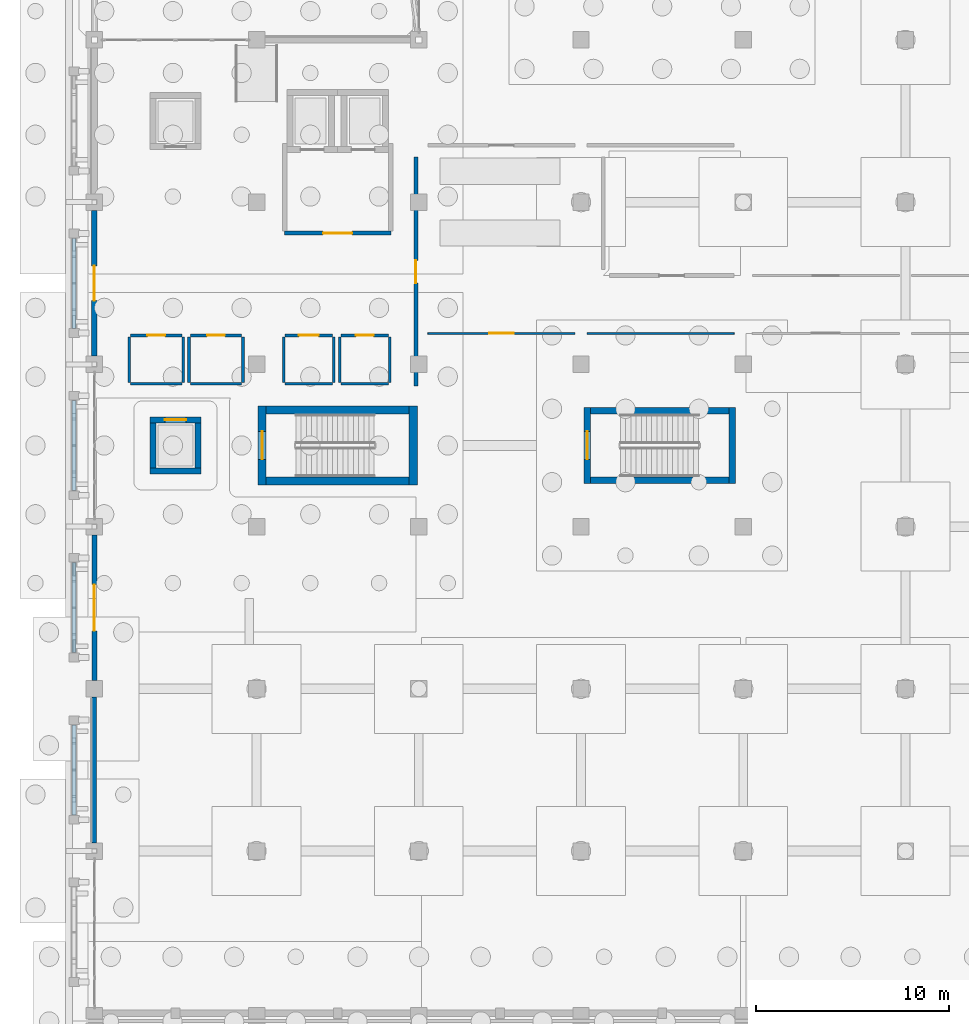
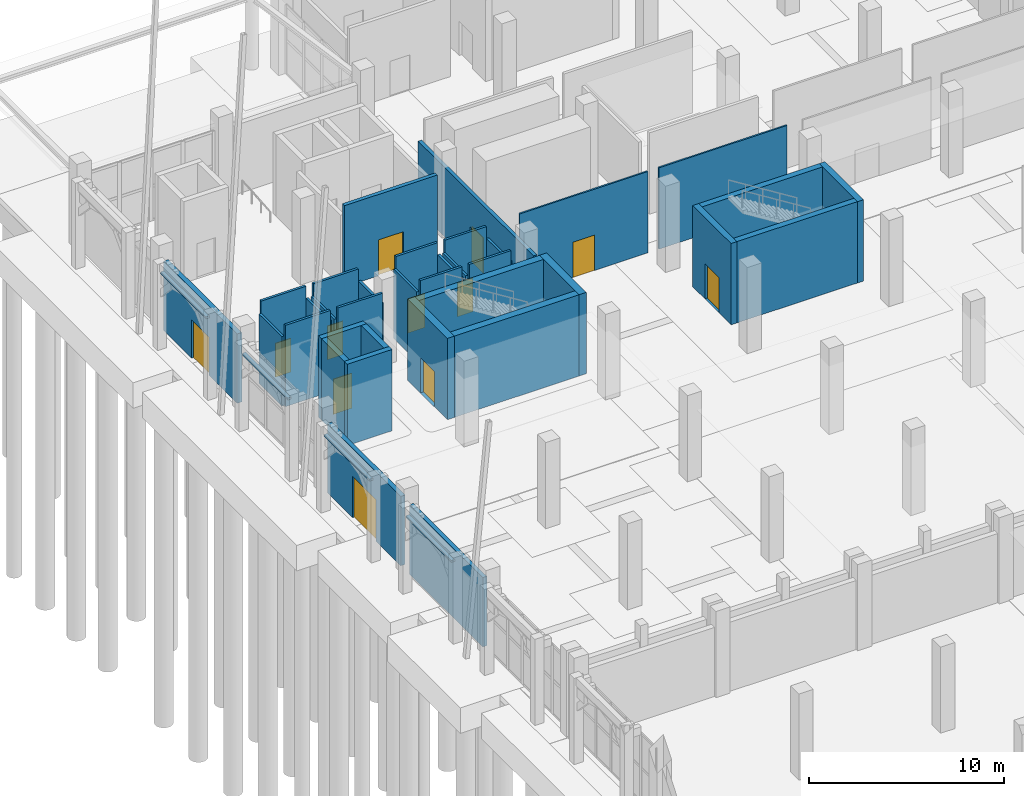
# One storey, part 66 of 98: 39 walls, 12 doors, 12 openings.
"""IFC4 building model written with IfcOpenShell, lengths in metres."""

from ifc_helpers import new_model, si_unit, direction, frame, frame_2d, origin, place, context, subcontext, project, spatial, rectangle, extrude, material, layer, layer_set, type_object, element, fill, save


model = new_model("IFC4")

# Units and contexts
model_context = context("Model", 3, precision=1e-05, world=origin(), true_north=direction((0.0, 1.0)))
body_context = subcontext(model_context, "Body", "Model", "MODEL_VIEW")
ifc_project = project(units=[si_unit("LENGTHUNIT", "METRE"), si_unit("AREAUNIT", "SQUARE_METRE"), si_unit("VOLUMEUNIT", "CUBIC_METRE"), si_unit("PLANEANGLEUNIT", "RADIAN"), si_unit("MASSUNIT", "GRAM", prefix="KILO")], contexts=[model_context])

# Site, building, storey
site_placement = place(None, origin())
site = spatial("IfcSite", under=ifc_project, at=site_placement, CompositionType="ELEMENT")
building_placement = place(site_placement, origin())
building = spatial("IfcBuilding", under=site, at=building_placement, Name="Xazarin Passage Department Store", CompositionType="ELEMENT")
storey_placement = place(building_placement, origin())
storey = spatial("IfcBuildingStorey", under=building, at=storey_placement, Name="L00", CompositionType="ELEMENT", Elevation=0.0)

# Wall
ifc_material_1 = material(Name="Precast concrete C40/50", Category="concrete")
ifc_layer_1 = layer(ifc_material_1, 0.239990234375)
ifc_layer_set_1 = layer_set([ifc_layer_1], Name="Precast concrete C40/50")
wall_type_1 = type_object("IfcWallType", Name="ARC-W-EXT240", PredefinedType="SOLIDWALL", material=ifc_layer_set_1)
wall_1_placement = place(storey_placement, frame((0.0, 60.02490234375, 0.0), z_axis=(0.0, 0.0, 1.0), x_axis=(0.0, 1.0, 0.0)))
element("IfcWall", 1, at=wall_1_placement, inside=storey, type_object=wall_type_1, Name="L00 V1 Exterior Wall 014", PredefinedType="SOLIDWALL", context=body_context, shape_type="SweptSolid", body=[
    extrude(rectangle(XDim=7.550048828125, YDim=0.239990234375, at=frame_2d((3.77490234375, 0.0))), origin(), (0.0, 0.0, 1.0), 4.35009765625),
])

# Wall, opening, door
ifc_layer_2 = layer(ifc_material_1, 0.260009765625)
ifc_layer_set_2 = layer_set([ifc_layer_2], Name="Precast concrete C40/50")
wall_type_2 = type_object("IfcWallType", Name="ARC-W-EXT260", PredefinedType="SOLIDWALL", material=ifc_layer_set_2)
wall_2_placement = place(storey_placement, frame((0.0, 68.425048828125, 0.0), z_axis=(0.0, 0.0, 1.0), x_axis=(0.0, 1.0, 0.0)))
wall_2 = element("IfcWall", 2, at=wall_2_placement, inside=storey, type_object=wall_type_2, Name="L00 V1 Exterior Wall 015", PredefinedType="SOLIDWALL", context=body_context, shape_type="SweptSolid", body=[
    extrude(rectangle(XDim=7.550048828125, YDim=0.260009765625, at=frame_2d((3.77490234375, 0.0))), origin(), (0.0, 0.0, 1.0), 4.35009765625),
])
opening_1_placement = place(wall_2_placement, frame((2.574951171875, 0.0, 0.0)))
opening_1 = element("IfcOpeningElement", 3, at=opening_1_placement, cuts=wall_2, Name="Opening ED1", PredefinedType="OPENING", context=body_context, shape_type="SweptSolid", body=[
    extrude(rectangle(XDim=2.39990234375, YDim=2.60009765625, at=frame_2d((1.199951171875, 1.300048828125))), frame((0.0, 0.139892578125, 0.0), z_axis=(0.0, -1.0, 0.0), x_axis=(1.0, 0.0, 0.0)), (0.0, 0.0, 1.0), 0.280029296875),
])
ifc_material_2 = material(Name="Bronze anodised aluminium", Category="aluminium")
door_type_1 = type_object("IfcDoorType", Name="ARC-DR-ENT240", OperationType="NOTDEFINED", PredefinedType="DOOR", material=ifc_material_2)
door_1_placement = place(opening_1_placement, origin())
door_1 = element("IfcDoor", 4, at=door_1_placement, inside=storey, type_object=door_type_1, Name="DR-EXT-004", OperationType="DOUBLE_DOOR_SINGLE_SWING", OverallHeight=2.60009765625, OverallWidth=2.39990234375, PredefinedType="DOOR", context=body_context, shape_type="SweptSolid", body=[
    extrude(rectangle(XDim=2.39990234375, YDim=2.60009765625, at=frame_2d((1.199951171875, 1.300048828125))), frame((0.0, 0.02490234375, 0.0), z_axis=(0.0, -1.0, 0.0), x_axis=(1.0, 0.0, 0.0)), (0.0, 0.0, 1.0), 0.050048828125),
])
fill(opening_1, door_1)

ifc_layer_3 = layer(ifc_material_1, 0.280029296875)
ifc_layer_set_3 = layer_set([ifc_layer_3], Name="Precast concrete C40/50")
wall_type_3 = type_object("IfcWallType", Name="ARC-W-EXT280", PredefinedType="SOLIDWALL", material=ifc_layer_set_3)
wall_3_placement = place(storey_placement, frame((0.0, 85.22509765625, 0.0), z_axis=(0.0, 0.0, 1.0), x_axis=(0.0, 1.0, 0.0)))
wall_3 = element("IfcWall", 5, at=wall_3_placement, inside=storey, type_object=wall_type_3, Name="L00 V1 Exterior Wall 016", PredefinedType="SOLIDWALL", context=body_context, shape_type="SweptSolid", body=[
    extrude(rectangle(XDim=7.5498046875, YDim=0.280029296875, at=frame_2d((3.77490234375, 0.0))), origin(), (0.0, 0.0, 1.0), 4.35009765625),
])
opening_2_placement = place(wall_3_placement, frame((2.875, 0.0, 0.0)))
opening_2 = element("IfcOpeningElement", 6, at=opening_2_placement, cuts=wall_3, Name="Opening ED4", PredefinedType="OPENING", context=body_context, shape_type="SweptSolid", body=[
    extrude(rectangle(XDim=1.800048828125, YDim=2.39990234375, at=frame_2d((0.89990234375, 1.199951171875))), frame((0.0, 0.14990234375, 0.0), z_axis=(0.0, -1.0, 0.0), x_axis=(1.0, 0.0, 0.0)), (0.0, 0.0, 1.0), 0.300048828125),
])
door_type_2 = type_object("IfcDoorType", Name="ARC-DR-ENT180", OperationType="NOTDEFINED", PredefinedType="DOOR", material=ifc_material_2)
door_2_placement = place(opening_2_placement, origin())
door_2 = element("IfcDoor", 7, at=door_2_placement, inside=storey, type_object=door_type_2, Name="DR-EXT-005", OperationType="DOUBLE_DOOR_SINGLE_SWING", OverallHeight=2.39990234375, OverallWidth=1.800048828125, PredefinedType="DOOR", context=body_context, shape_type="SweptSolid", body=[
    extrude(rectangle(XDim=1.800048828125, YDim=2.39990234375, at=frame_2d((0.89990234375, 1.199951171875))), frame((0.0, 0.02490234375, 0.0), z_axis=(0.0, -1.0, 0.0), x_axis=(1.0, 0.0, 0.0)), (0.0, 0.0, 1.0), 0.050048828125),
])
fill(opening_2, door_2)

ifc_material_3 = material(Name="Buff Baku clay brick", Category="masonry")
ifc_layer_4 = layer(ifc_material_3, 0.205078125)
ifc_layer_set_4 = layer_set([ifc_layer_4], Name="Buff Baku clay brick")
wall_type_4 = type_object("IfcWallType", Name="ARC-W-FIR205", PredefinedType="PARTITIONING", material=ifc_layer_set_4)
wall_4_placement = place(storey_placement, frame((16.64990234375, 83.669921875, 0.0), z_axis=(0.0, 0.0, 1.0), x_axis=(0.0, 1.0, 0.0)))
wall_4 = element("IfcWall", 8, at=wall_4_placement, inside=storey, type_object=wall_type_4, Name="L00 Accessories Hall Front Wall 0044", PredefinedType="PARTITIONING", context=body_context, shape_type="SweptSolid", body=[
    extrude(rectangle(XDim=11.860107421875, YDim=0.205078125, at=frame_2d((5.93017578125, 0.0))), origin(), (0.0, 0.0, 1.0), 4.35009765625),
])
opening_3_placement = place(wall_4_placement, frame((5.340087890625, 0.0, 0.0)))
opening_3 = element("IfcOpeningElement", 9, at=opening_3_placement, cuts=wall_4, Name="Opening ID24", PredefinedType="OPENING", context=body_context, shape_type="SweptSolid", body=[
    extrude(rectangle(XDim=1.179931640625, YDim=2.219970703125, at=frame_2d((0.58984375, 1.10986328125))), frame((0.0, 0.112548828125, 0.0), z_axis=(0.0, -1.0, 0.0), x_axis=(1.0, 0.0, 0.0)), (0.0, 0.0, 1.0), 0.22509765625),
])
ifc_material_4 = material(Name="Timber acoustic leaf", Category="wood")
door_type_3 = type_object("IfcDoorType", Name="ARC-DR-ID24", OperationType="NOTDEFINED", PredefinedType="DOOR", material=ifc_material_4)
door_3_placement = place(opening_3_placement, origin())
door_3 = element("IfcDoor", 10, at=door_3_placement, inside=storey, type_object=door_type_3, Name="DR-INT-L00-0044", OperationType="SINGLE_SWING_LEFT", OverallHeight=2.219970703125, OverallWidth=1.179931640625, PredefinedType="DOOR", context=body_context, shape_type="SweptSolid", body=[
    extrude(rectangle(XDim=1.179931640625, YDim=2.219970703125, at=frame_2d((0.58984375, 1.10986328125))), frame((0.0, 0.02490234375, 0.0), z_axis=(0.0, -1.0, 0.0), x_axis=(1.0, 0.0, 0.0)), (0.0, 0.0, 1.0), 0.050048828125),
])
fill(opening_3, door_3)

ifc_material_5 = material(Name="Concrete C35/45", Category="concrete")
ifc_layer_5 = layer(ifc_material_5, 0.22509765625)
ifc_layer_set_5 = layer_set([ifc_layer_5], Name="Concrete C35/45")
wall_type_5 = type_object("IfcWallType", Name="ARC-W-FIR225", PredefinedType="PARTITIONING", material=ifc_layer_set_5)
wall_5_placement = place(storey_placement, frame((9.85009765625, 91.60009765625, 0.0), z_axis=(0.0, 0.0, 1.0), x_axis=(1.0, 0.0, 0.0)))
wall_5 = element("IfcWall", 11, at=wall_5_placement, inside=storey, type_object=wall_type_5, Name="L00 Firefighting Lift Lobby South Wall 0001", PredefinedType="PARTITIONING", context=body_context, shape_type="SweptSolid", body=[
    extrude(rectangle(XDim=5.5, YDim=0.22509765625, at=frame_2d((2.75, 0.0))), origin(), (0.0, 0.0, 1.0), 5.10009765625),
])
opening_4_placement = place(wall_5_placement, frame((2.0, 0.0, 0.0)))
opening_4 = element("IfcOpeningElement", 12, at=opening_4_placement, cuts=wall_5, Name="Opening FD3", PredefinedType="OPENING", context=body_context, shape_type="SweptSolid", body=[
    extrude(rectangle(XDim=1.5, YDim=2.25, at=frame_2d((0.75, 1.125))), frame((0.0, 0.12255859375, 0.0), z_axis=(0.0, -1.0, 0.0), x_axis=(1.0, 0.0, 0.0)), (0.0, 0.0, 1.0), 0.2451171875),
])
ifc_material_6 = material(Name="Steel S355", Category="steel")
door_type_4 = type_object("IfcDoorType", Name="ARC-DR-FFL150", OperationType="NOTDEFINED", PredefinedType="DOOR", material=ifc_material_6)
door_4_placement = place(opening_4_placement, origin())
door_4 = element("IfcDoor", 13, at=door_4_placement, inside=storey, type_object=door_type_4, Name="DR-INT-L00-0001", OperationType="SINGLE_SWING_RIGHT", OverallHeight=2.25, OverallWidth=1.5, PredefinedType="DOOR", context=body_context, shape_type="SweptSolid", body=[
    extrude(rectangle(XDim=1.5, YDim=2.25, at=frame_2d((0.75, 1.125))), frame((0.0, 0.02490234375, 0.0), z_axis=(0.0, -1.0, 0.0), x_axis=(1.0, 0.0, 0.0)), (0.0, 0.0, 1.0), 0.050048828125),
])
fill(opening_4, door_4)

# Walls
ifc_layer_6 = layer(ifc_material_1, 0.2099609375)
ifc_layer_set_6 = layer_set([ifc_layer_6], Name="Precast concrete C40/50")
wall_type_6 = type_object("IfcWallType", Name="ARC-W-PAR210", PredefinedType="PARAPET", material=ifc_layer_set_6)
for number, where, z_axis, x_axis, name in (
    (14, (-1.050048828125, 61.469970703125, 4.780029296875), (0.0, 0.0, 1.0), (0.0, 1.0, 0.0), "L00 V1 Pierced-Arch Spandrel Lintel 0039"),
    (15, (-1.050048828125, 69.8701171875, 4.780029296875), (0.0, 0.0, 1.0), (0.0, 1.0, 0.0), "L00 V1 Pierced-Arch Spandrel Lintel 0042"),
    (16, (-1.050048828125, 78.27001953125, 4.780029296875), (0.0, 0.0, 1.0), (0.0, 1.0, 0.0), "L00 V1 Pierced-Arch Spandrel Lintel 0047"),
):
    element("IfcWall", number, at=place(storey_placement, frame(where, z_axis=z_axis, x_axis=x_axis)), inside=storey, type_object=wall_type_6, Name=name, PredefinedType="PARAPET", context=body_context, shape_type="SweptSolid", body=[
        extrude(rectangle(XDim=4.659912109375, YDim=0.2099609375, at=frame_2d((2.330078125, 0.0))), origin(), (0.0, 0.0, 1.0), 0.119873046875),
    ])
wall_6_placement = place(storey_placement, frame((-1.050048828125, 86.669921875, 4.780029296875), z_axis=(0.0, 0.0, 1.0), x_axis=(0.0, 1.0, 0.0)))
element("IfcWall", 17, at=wall_6_placement, inside=storey, type_object=wall_type_6, Name="L00 V1 Pierced-Arch Spandrel Lintel 0055", PredefinedType="PARAPET", context=body_context, shape_type="SweptSolid", body=[
    extrude(rectangle(XDim=4.66015625, YDim=0.2099609375, at=frame_2d((2.330078125, 0.0))), origin(), (0.0, 0.0, 1.0), 0.119873046875),
])

# Wall, opening, door
ifc_material_7 = material(Name="Gypsum board acoustic partition")
ifc_layer_7 = layer(ifc_material_7, 0.094970703125)
ifc_layer_set_7 = layer_set([ifc_layer_7], Name="Gypsum board acoustic partition")
wall_type_7 = type_object("IfcWallType", Name="ARC-W-PRT095", PredefinedType="PARTITIONING", material=ifc_layer_set_7)
wall_7_placement = place(storey_placement, frame((17.27001953125, 86.39990234375, 0.0), z_axis=(0.0, 0.0, 1.0), x_axis=(1.0, 0.0, 0.0)))
wall_7 = element("IfcWall", 18, at=wall_7_placement, inside=storey, type_object=wall_type_7, Name="L00 Perfume and Jewellery Salon Front Wall 0045", PredefinedType="PARTITIONING", context=body_context, shape_type="SweptSolid", body=[
    extrude(rectangle(XDim=7.60986328125, YDim=0.094970703125, at=frame_2d((3.804931640625, 0.0))), origin(), (0.0, 0.0, 1.0), 5.10009765625),
])
opening_5_placement = place(wall_7_placement, frame((3.1650390625, 0.0, 0.0)))
opening_5 = element("IfcOpeningElement", 19, at=opening_5_placement, cuts=wall_7, Name="Opening ID28", PredefinedType="OPENING", context=body_context, shape_type="SweptSolid", body=[
    extrude(rectangle(XDim=1.280029296875, YDim=2.219970703125, at=frame_2d((0.64013671875, 1.10986328125))), frame((0.0, 0.057373046875, 0.0), z_axis=(0.0, -1.0, 0.0), x_axis=(1.0, 0.0, 0.0)), (0.0, 0.0, 1.0), 0.114990234375),
])
door_type_5 = type_object("IfcDoorType", Name="ARC-DR-ID28", OperationType="NOTDEFINED", PredefinedType="DOOR", material=ifc_material_4)
door_5_placement = place(opening_5_placement, origin())
door_5 = element("IfcDoor", 20, at=door_5_placement, inside=storey, type_object=door_type_5, Name="DR-INT-L00-0045", OperationType="SINGLE_SWING_RIGHT", OverallHeight=2.219970703125, OverallWidth=1.280029296875, PredefinedType="DOOR", context=body_context, shape_type="SweptSolid", body=[
    extrude(rectangle(XDim=1.280029296875, YDim=2.219970703125, at=frame_2d((0.64013671875, 1.10986328125))), frame((0.0, 0.02490234375, 0.0), z_axis=(0.0, -1.0, 0.0), x_axis=(1.0, 0.0, 0.0)), (0.0, 0.0, 1.0), 0.050048828125),
])
fill(opening_5, door_5)

# Wall
wall_8_placement = place(storey_placement, frame((25.52001953125, 86.39990234375, 0.0), z_axis=(0.0, 0.0, 1.0), x_axis=(1.0, 0.0, 0.0)))
element("IfcWall", 21, at=wall_8_placement, inside=storey, type_object=wall_type_7, Name="L00 Perfume and Jewellery Salon Front Wall 0046", PredefinedType="PARTITIONING", context=body_context, shape_type="SweptSolid", body=[
    extrude(rectangle(XDim=7.60986328125, YDim=0.094970703125, at=frame_2d((3.804931640625, 0.0))), origin(), (0.0, 0.0, 1.0), 5.10009765625),
])

# Wall, opening, door
ifc_material_8 = material(Name="Moisture-resistant masonry partition", Category="masonry")
ifc_layer_8 = layer(ifc_material_8, 0.139892578125)
ifc_layer_set_8 = layer_set([ifc_layer_8], Name="Moisture-resistant masonry partition")
wall_type_8 = type_object("IfcWallType", Name="ARC-W-PRT140", PredefinedType="PARTITIONING", material=ifc_layer_set_8)
wall_9_placement = place(storey_placement, frame((1.8701171875, 86.300048828125, 0.0), z_axis=(0.0, 0.0, 1.0), x_axis=(1.0, 0.0, 0.0)))
wall_9 = element("IfcWall", 22, at=wall_9_placement, inside=storey, type_object=wall_type_8, Name="L00 Public Male WC 0028", PredefinedType="PARTITIONING", context=body_context, shape_type="SweptSolid", body=[
    extrude(rectangle(XDim=2.659912109375, YDim=0.139892578125, at=frame_2d((1.330078125, 0.0))), origin(), (0.0, 0.0, 1.0), 5.10009765625),
])
opening_6_placement = place(wall_9_placement, frame((0.8701171875, 0.0, 0.0)))
opening_6 = element("IfcOpeningElement", 23, at=opening_6_placement, cuts=wall_9, Name="Opening ID1", PredefinedType="OPENING", context=body_context, shape_type="SweptSolid", body=[
    extrude(rectangle(XDim=0.919921875, YDim=2.1201171875, at=frame_2d((0.4599609375, 1.06005859375))), frame((0.0, 0.079833984375, 0.0), z_axis=(0.0, -1.0, 0.0), x_axis=(1.0, 0.0, 0.0)), (0.0, 0.0, 1.0), 0.159912109375),
])
door_type_6 = type_object("IfcDoorType", Name="ARC-DR-WC092", OperationType="NOTDEFINED", PredefinedType="DOOR", material=ifc_material_4)
door_6_placement = place(opening_6_placement, origin())
door_6 = element("IfcDoor", 24, at=door_6_placement, inside=storey, type_object=door_type_6, Name="DR-INT-L00-0028", OperationType="SINGLE_SWING_LEFT", OverallHeight=2.1201171875, OverallWidth=0.919921875, PredefinedType="DOOR", context=body_context, shape_type="SweptSolid", body=[
    extrude(rectangle(XDim=0.919921875, YDim=2.1201171875, at=frame_2d((0.4599609375, 1.06005859375))), frame((0.0, 0.02490234375, 0.0), z_axis=(0.0, -1.0, 0.0), x_axis=(1.0, 0.0, 0.0)), (0.0, 0.0, 1.0), 0.050048828125),
])
fill(opening_6, door_6)

# Walls
wall_10_placement = place(storey_placement, frame((1.8701171875, 83.800048828125, 0.0), z_axis=(0.0, 0.0, 1.0), x_axis=(1.0, 0.0, 0.0)))
element("IfcWall", 25, at=wall_10_placement, inside=storey, type_object=wall_type_8, Name="L00 Public Male WC Back Wall 0029", PredefinedType="PARTITIONING", context=body_context, shape_type="SweptSolid", body=[
    extrude(rectangle(XDim=2.659912109375, YDim=0.139892578125, at=frame_2d((1.330078125, 0.0))), origin(), (0.0, 0.0, 1.0), 5.10009765625),
])
for number, where, z_axis, x_axis, name in (
    (26, (1.800048828125, 83.8701171875, 0.0), (0.0, 0.0, 1.0), (0.0, 1.0, 0.0), "L00 Public Male WC Side Wall 0030"),
    (27, (4.60009765625, 83.8701171875, 0.0), (0.0, 0.0, 1.0), (0.0, 1.0, 0.0), "L00 Public Male WC Side Wall 0031"),
):
    element("IfcWall", number, at=place(storey_placement, frame(where, z_axis=z_axis, x_axis=x_axis)), inside=storey, type_object=wall_type_8, Name=name, PredefinedType="PARTITIONING", context=body_context, shape_type="SweptSolid", body=[
        extrude(rectangle(XDim=2.35986328125, YDim=0.139892578125, at=frame_2d((1.179931640625, 0.0))), origin(), (0.0, 0.0, 1.0), 4.35009765625),
    ])

# Wall, opening, door
wall_11_placement = place(storey_placement, frame((4.969970703125, 86.300048828125, 0.0), z_axis=(0.0, 0.0, 1.0), x_axis=(1.0, 0.0, 0.0)))
wall_11 = element("IfcWall", 28, at=wall_11_placement, inside=storey, type_object=wall_type_8, Name="L00 Public Female WC 0032", PredefinedType="PARTITIONING", context=body_context, shape_type="SweptSolid", body=[
    extrude(rectangle(XDim=2.659912109375, YDim=0.139892578125, at=frame_2d((1.330078125, 0.0))), origin(), (0.0, 0.0, 1.0), 5.10009765625),
])
opening_7_placement = place(wall_11_placement, frame((0.8701171875, 0.0, 0.0)))
opening_7 = element("IfcOpeningElement", 29, at=opening_7_placement, cuts=wall_11, Name="Opening ID1", PredefinedType="OPENING", context=body_context, shape_type="SweptSolid", body=[
    extrude(rectangle(XDim=0.919921875, YDim=2.1201171875, at=frame_2d((0.4599609375, 1.06005859375))), frame((0.0, 0.079833984375, 0.0), z_axis=(0.0, -1.0, 0.0), x_axis=(1.0, 0.0, 0.0)), (0.0, 0.0, 1.0), 0.159912109375),
])
door_7_placement = place(opening_7_placement, origin())
door_7 = element("IfcDoor", 30, at=door_7_placement, inside=storey, type_object=door_type_6, Name="DR-INT-L00-0032", OperationType="SINGLE_SWING_RIGHT", OverallHeight=2.1201171875, OverallWidth=0.919921875, PredefinedType="DOOR", context=body_context, shape_type="SweptSolid", body=[
    extrude(rectangle(XDim=0.919921875, YDim=2.1201171875, at=frame_2d((0.4599609375, 1.06005859375))), frame((0.0, 0.02490234375, 0.0), z_axis=(0.0, -1.0, 0.0), x_axis=(1.0, 0.0, 0.0)), (0.0, 0.0, 1.0), 0.050048828125),
])
fill(opening_7, door_7)

# Walls
wall_12_placement = place(storey_placement, frame((4.969970703125, 83.800048828125, 0.0), z_axis=(0.0, 0.0, 1.0), x_axis=(1.0, 0.0, 0.0)))
element("IfcWall", 31, at=wall_12_placement, inside=storey, type_object=wall_type_8, Name="L00 Public Female WC Back Wall 0033", PredefinedType="PARTITIONING", context=body_context, shape_type="SweptSolid", body=[
    extrude(rectangle(XDim=2.659912109375, YDim=0.139892578125, at=frame_2d((1.330078125, 0.0))), origin(), (0.0, 0.0, 1.0), 5.10009765625),
])
for number, where, z_axis, x_axis, name in (
    (32, (4.89990234375, 83.8701171875, 0.0), (0.0, 0.0, 1.0), (0.0, 1.0, 0.0), "L00 Public Female WC Side Wall 0034"),
    (33, (7.699951171875, 83.8701171875, 0.0), (0.0, 0.0, 1.0), (0.0, 1.0, 0.0), "L00 Public Female WC Side Wall 0035"),
):
    element("IfcWall", number, at=place(storey_placement, frame(where, z_axis=z_axis, x_axis=x_axis)), inside=storey, type_object=wall_type_8, Name=name, PredefinedType="PARTITIONING", context=body_context, shape_type="SweptSolid", body=[
        extrude(rectangle(XDim=2.35986328125, YDim=0.139892578125, at=frame_2d((1.179931640625, 0.0))), origin(), (0.0, 0.0, 1.0), 4.35009765625),
    ])

# Wall, opening, door
wall_13_placement = place(storey_placement, frame((9.8701171875, 86.300048828125, 0.0), z_axis=(0.0, 0.0, 1.0), x_axis=(1.0, 0.0, 0.0)))
wall_13 = element("IfcWall", 34, at=wall_13_placement, inside=storey, type_object=wall_type_8, Name="L00 Accessible WC 0036", PredefinedType="PARTITIONING", context=body_context, shape_type="SweptSolid", body=[
    extrude(rectangle(XDim=2.4599609375, YDim=0.139892578125, at=frame_2d((1.22998046875, 0.0))), origin(), (0.0, 0.0, 1.0), 5.10009765625),
])
opening_8_placement = place(wall_13_placement, frame((0.719970703125, 0.0, 0.0)))
opening_8 = element("IfcOpeningElement", 35, at=opening_8_placement, cuts=wall_13, Name="Opening ID2", PredefinedType="OPENING", context=body_context, shape_type="SweptSolid", body=[
    extrude(rectangle(XDim=1.02001953125, YDim=2.14990234375, at=frame_2d((0.510009765625, 1.074951171875))), frame((0.0, 0.079833984375, 0.0), z_axis=(0.0, -1.0, 0.0), x_axis=(1.0, 0.0, 0.0)), (0.0, 0.0, 1.0), 0.159912109375),
])
door_type_7 = type_object("IfcDoorType", Name="ARC-DR-AWC102", OperationType="NOTDEFINED", PredefinedType="DOOR", material=ifc_material_4)
door_8_placement = place(opening_8_placement, origin())
door_8 = element("IfcDoor", 36, at=door_8_placement, inside=storey, type_object=door_type_7, Name="DR-INT-L00-0036", OperationType="SINGLE_SWING_LEFT", OverallHeight=2.14990234375, OverallWidth=1.02001953125, PredefinedType="DOOR", context=body_context, shape_type="SweptSolid", body=[
    extrude(rectangle(XDim=1.02001953125, YDim=2.14990234375, at=frame_2d((0.510009765625, 1.074951171875))), frame((0.0, 0.02490234375, 0.0), z_axis=(0.0, -1.0, 0.0), x_axis=(1.0, 0.0, 0.0)), (0.0, 0.0, 1.0), 0.050048828125),
])
fill(opening_8, door_8)

# Walls
wall_14_placement = place(storey_placement, frame((9.8701171875, 83.800048828125, 0.0), z_axis=(0.0, 0.0, 1.0), x_axis=(1.0, 0.0, 0.0)))
element("IfcWall", 37, at=wall_14_placement, inside=storey, type_object=wall_type_8, Name="L00 Accessible WC Back Wall 0037", PredefinedType="PARTITIONING", context=body_context, shape_type="SweptSolid", body=[
    extrude(rectangle(XDim=2.4599609375, YDim=0.139892578125, at=frame_2d((1.22998046875, 0.0))), origin(), (0.0, 0.0, 1.0), 5.10009765625),
])
for number, where, z_axis, x_axis, name in (
    (38, (9.800048828125, 83.8701171875, 0.0), (0.0, 0.0, 1.0), (0.0, 1.0, 0.0), "L00 Accessible WC Side Wall 0038"),
    (39, (12.39990234375, 83.8701171875, 0.0), (0.0, 0.0, 1.0), (0.0, 1.0, 0.0), "L00 Accessible WC Side Wall 0039"),
):
    element("IfcWall", number, at=place(storey_placement, frame(where, z_axis=z_axis, x_axis=x_axis)), inside=storey, type_object=wall_type_8, Name=name, PredefinedType="PARTITIONING", context=body_context, shape_type="SweptSolid", body=[
        extrude(rectangle(XDim=2.35986328125, YDim=0.139892578125, at=frame_2d((1.179931640625, 0.0))), origin(), (0.0, 0.0, 1.0), 4.35009765625),
    ])

# Wall, opening, door
wall_15_placement = place(storey_placement, frame((12.77001953125, 86.300048828125, 0.0), z_axis=(0.0, 0.0, 1.0), x_axis=(1.0, 0.0, 0.0)))
wall_15 = element("IfcWall", 40, at=wall_15_placement, inside=storey, type_object=wall_type_8, Name="L00 Staff WC 0040", PredefinedType="PARTITIONING", context=body_context, shape_type="SweptSolid", body=[
    extrude(rectangle(XDim=2.4599609375, YDim=0.139892578125, at=frame_2d((1.22998046875, 0.0))), origin(), (0.0, 0.0, 1.0), 5.10009765625),
])
opening_9_placement = place(wall_15_placement, frame((0.77001953125, 0.0, 0.0)))
opening_9 = element("IfcOpeningElement", 41, at=opening_9_placement, cuts=wall_15, Name="Opening ID1", PredefinedType="OPENING", context=body_context, shape_type="SweptSolid", body=[
    extrude(rectangle(XDim=0.919921875, YDim=2.1201171875, at=frame_2d((0.4599609375, 1.06005859375))), frame((0.0, 0.079833984375, 0.0), z_axis=(0.0, -1.0, 0.0), x_axis=(1.0, 0.0, 0.0)), (0.0, 0.0, 1.0), 0.159912109375),
])
door_9_placement = place(opening_9_placement, origin())
door_9 = element("IfcDoor", 42, at=door_9_placement, inside=storey, type_object=door_type_6, Name="DR-INT-L00-0040", OperationType="SINGLE_SWING_RIGHT", OverallHeight=2.1201171875, OverallWidth=0.919921875, PredefinedType="DOOR", context=body_context, shape_type="SweptSolid", body=[
    extrude(rectangle(XDim=0.919921875, YDim=2.1201171875, at=frame_2d((0.4599609375, 1.06005859375))), frame((0.0, 0.02490234375, 0.0), z_axis=(0.0, -1.0, 0.0), x_axis=(1.0, 0.0, 0.0)), (0.0, 0.0, 1.0), 0.050048828125),
])
fill(opening_9, door_9)

# Walls
wall_16_placement = place(storey_placement, frame((12.77001953125, 83.800048828125, 0.0), z_axis=(0.0, 0.0, 1.0), x_axis=(1.0, 0.0, 0.0)))
element("IfcWall", 43, at=wall_16_placement, inside=storey, type_object=wall_type_8, Name="L00 Staff WC Back Wall 0041", PredefinedType="PARTITIONING", context=body_context, shape_type="SweptSolid", body=[
    extrude(rectangle(XDim=2.4599609375, YDim=0.139892578125, at=frame_2d((1.22998046875, 0.0))), origin(), (0.0, 0.0, 1.0), 5.10009765625),
])
for number, where, z_axis, x_axis, name in (
    (44, (12.699951171875, 83.8701171875, 0.0), (0.0, 0.0, 1.0), (0.0, 1.0, 0.0), "L00 Staff WC Side Wall 0042"),
    (45, (15.300048828125, 83.8701171875, 0.0), (0.0, 0.0, 1.0), (0.0, 1.0, 0.0), "L00 Staff WC Side Wall 0043"),
):
    element("IfcWall", number, at=place(storey_placement, frame(where, z_axis=z_axis, x_axis=x_axis)), inside=storey, type_object=wall_type_8, Name=name, PredefinedType="PARTITIONING", context=body_context, shape_type="SweptSolid", body=[
        extrude(rectangle(XDim=2.35986328125, YDim=0.139892578125, at=frame_2d((1.179931640625, 0.0))), origin(), (0.0, 0.0, 1.0), 4.35009765625),
    ])
ifc_material_9 = material(Name="Concrete C40/50", Category="concrete")
ifc_layer_9 = layer(ifc_material_9, 0.31005859375)
ifc_layer_set_9 = layer_set([ifc_layer_9], Name="Concrete C40/50")
wall_type_9 = type_object("IfcWallType", Name="STR-W-LFT310", PredefinedType="SHEAR", material=ifc_layer_set_9)
wall_17_placement = place(storey_placement, frame((2.8701171875, 79.27490234375, 0.0), z_axis=(0.0, 0.0, 1.0), x_axis=(1.0, 0.0, 0.0)))
element("IfcWall", 46, at=wall_17_placement, inside=storey, type_object=wall_type_9, Name="L00 Lift PL1 Shaft Wall South", PredefinedType="SHEAR", context=body_context, shape_type="SweptSolid", body=[
    extrude(rectangle(XDim=2.659912109375, YDim=0.31005859375, at=frame_2d((1.330078125, 0.0))), origin(), (0.0, 0.0, 1.0), 5.10009765625),
])

# Wall, opening, door
wall_18_placement = place(storey_placement, frame((2.8701171875, 81.925048828125, 0.0), z_axis=(0.0, 0.0, 1.0), x_axis=(1.0, 0.0, 0.0)))
wall_18 = element("IfcWall", 47, at=wall_18_placement, inside=storey, type_object=wall_type_9, Name="L00 Lift PL1 Shaft Wall North", PredefinedType="SHEAR", context=body_context, shape_type="SweptSolid", body=[
    extrude(rectangle(XDim=2.659912109375, YDim=0.31005859375, at=frame_2d((1.330078125, 0.0))), origin(), (0.0, 0.0, 1.0), 5.10009765625),
])
opening_10_placement = place(wall_18_placement, frame((0.780029296875, 0.0, 0.0)))
opening_10 = element("IfcOpeningElement", 48, at=opening_10_placement, cuts=wall_18, Name="Opening LD-PL1-L00", PredefinedType="OPENING", context=body_context, shape_type="SweptSolid", body=[
    extrude(rectangle(XDim=1.10009765625, YDim=2.199951171875, at=frame_2d((0.550048828125, 1.10009765625))), frame((0.0, 0.1650390625, 0.0), z_axis=(0.0, -1.0, 0.0), x_axis=(1.0, 0.0, 0.0)), (0.0, 0.0, 1.0), 0.330078125),
])
door_type_8 = type_object("IfcDoorType", Name="ARC-DR-LD110", OperationType="NOTDEFINED", PredefinedType="DOOR", material=ifc_material_6)
door_10_placement = place(opening_10_placement, origin())
door_10 = element("IfcDoor", 49, at=door_10_placement, inside=storey, type_object=door_type_8, Name="DR-LD-PL1-L00", OperationType="SLIDING_TO_LEFT", OverallHeight=2.199951171875, OverallWidth=1.10009765625, PredefinedType="DOOR", context=body_context, shape_type="SweptSolid", body=[
    extrude(rectangle(XDim=1.10009765625, YDim=2.199951171875, at=frame_2d((0.550048828125, 1.10009765625))), frame((0.0, 0.02490234375, 0.0), z_axis=(0.0, -1.0, 0.0), x_axis=(1.0, 0.0, 0.0)), (0.0, 0.0, 1.0), 0.050048828125),
])
fill(opening_10, door_10)

# Walls
for number, where, z_axis, x_axis, name in (
    (50, (3.02490234375, 79.429931640625, 0.0), (0.0, 0.0, 1.0), (0.0, 1.0, 0.0), "L00 Lift PL1 Shaft Wall West"),
    (51, (5.375, 79.429931640625, 0.0), (0.0, 0.0, 1.0), (0.0, 1.0, 0.0), "L00 Lift PL1 Shaft Wall East"),
):
    element("IfcWall", number, at=place(storey_placement, frame(where, z_axis=z_axis, x_axis=x_axis)), inside=storey, type_object=wall_type_9, Name=name, PredefinedType="SHEAR", context=body_context, shape_type="SweptSolid", body=[
        extrude(rectangle(XDim=2.340087890625, YDim=0.31005859375, at=frame_2d((1.169921875, 0.0))), origin(), (0.0, 0.0, 1.0), 5.10009765625),
    ])

# Wall, opening, door
ifc_layer_10 = layer(ifc_material_9, 0.35009765625)
ifc_layer_set_10 = layer_set([ifc_layer_10], Name="Concrete C40/50")
wall_type_10 = type_object("IfcWallType", Name="STR-W-SHR350", PredefinedType="SHEAR", material=ifc_layer_set_10)
wall_19_placement = place(storey_placement, frame((25.52490234375, 78.6298828125, 0.0), z_axis=(0.0, 0.0, 1.0), x_axis=(0.0, 1.0, 0.0)))
wall_19 = element("IfcWall", 52, at=wall_19_placement, inside=storey, type_object=wall_type_10, Name="L00 Core K3 West Shear Wall", PredefinedType="SHEAR", context=body_context, shape_type="SweptSolid", body=[
    extrude(rectangle(XDim=3.940185546875, YDim=0.35009765625, at=frame_2d((1.97021484375, 0.0))), origin(), (0.0, 0.0, 1.0), 5.10009765625),
])
opening_11_placement = place(wall_19_placement, frame((1.2451171875, 0.0, 0.0)))
opening_11 = element("IfcOpeningElement", 53, at=opening_11_placement, cuts=wall_19, Name="Opening FD1", PredefinedType="OPENING", context=body_context, shape_type="SweptSolid", body=[
    extrude(rectangle(XDim=1.449951171875, YDim=2.199951171875, at=frame_2d((0.72509765625, 1.10009765625))), frame((0.0, 0.18505859375, 0.0), z_axis=(0.0, -1.0, 0.0), x_axis=(1.0, 0.0, 0.0)), (0.0, 0.0, 1.0), 0.3701171875),
])
door_type_9 = type_object("IfcDoorType", Name="ARC-DR-STR145", OperationType="NOTDEFINED", PredefinedType="DOOR", material=ifc_material_6)
door_11_placement = place(opening_11_placement, origin())
door_11 = element("IfcDoor", 54, at=door_11_placement, inside=storey, type_object=door_type_9, Name="DR-STR-K3-L00", OperationType="SINGLE_SWING_RIGHT", OverallHeight=2.199951171875, OverallWidth=1.449951171875, PredefinedType="DOOR", context=body_context, shape_type="SweptSolid", body=[
    extrude(rectangle(XDim=1.449951171875, YDim=2.199951171875, at=frame_2d((0.72509765625, 1.10009765625))), frame((0.0, 0.02490234375, 0.0), z_axis=(0.0, -1.0, 0.0), x_axis=(1.0, 0.0, 0.0)), (0.0, 0.0, 1.0), 0.050048828125),
])
fill(opening_11, door_11)

# Walls
wall_20_placement = place(storey_placement, frame((33.02490234375, 78.6298828125, 0.0), z_axis=(0.0, 0.0, 1.0), x_axis=(0.0, 1.0, 0.0)))
element("IfcWall", 55, at=wall_20_placement, inside=storey, type_object=wall_type_10, Name="L00 Core K3 East Shear Wall", PredefinedType="SHEAR", context=body_context, shape_type="SweptSolid", body=[
    extrude(rectangle(XDim=3.940185546875, YDim=0.35009765625, at=frame_2d((1.97021484375, 0.0))), origin(), (0.0, 0.0, 1.0), 5.10009765625),
])
for number, where, z_axis, x_axis, name in (
    (56, (25.699951171875, 78.804931640625, 0.0), (0.0, 0.0, 1.0), (1.0, 0.0, 0.0), "L00 Core K3 South Shear Wall"),
    (57, (25.699951171875, 82.39501953125, 0.0), (0.0, 0.0, 1.0), (1.0, 0.0, 0.0), "L00 Core K3 North Shear Wall"),
):
    element("IfcWall", number, at=place(storey_placement, frame(where, z_axis=z_axis, x_axis=x_axis)), inside=storey, type_object=wall_type_10, Name=name, PredefinedType="SHEAR", context=body_context, shape_type="SweptSolid", body=[
        extrude(rectangle(XDim=7.150146484375, YDim=0.35009765625, at=frame_2d((3.5751953125, 0.0))), origin(), (0.0, 0.0, 1.0), 5.10009765625),
    ])

# Wall, opening, door
ifc_layer_11 = layer(ifc_material_9, 0.419921875)
ifc_layer_set_11 = layer_set([ifc_layer_11], Name="Concrete C40/50")
wall_type_11 = type_object("IfcWallType", Name="STR-W-SHR420", PredefinedType="SHEAR", material=ifc_layer_set_11)
wall_21_placement = place(storey_placement, frame((8.68994140625, 78.56005859375, 0.0), z_axis=(0.0, 0.0, 1.0), x_axis=(0.0, 1.0, 0.0)))
wall_21 = element("IfcWall", 58, at=wall_21_placement, inside=storey, type_object=wall_type_11, Name="L00 Core K1 West Shear Wall", PredefinedType="SHEAR", context=body_context, shape_type="SweptSolid", body=[
    extrude(rectangle(XDim=4.079833984375, YDim=0.419921875, at=frame_2d((2.0400390625, 0.0))), origin(), (0.0, 0.0, 1.0), 5.10009765625),
])
opening_12_placement = place(wall_21_placement, frame((1.31494140625, 0.0, 0.0)))
opening_12 = element("IfcOpeningElement", 59, at=opening_12_placement, cuts=wall_21, Name="Opening FD1", PredefinedType="OPENING", context=body_context, shape_type="SweptSolid", body=[
    extrude(rectangle(XDim=1.449951171875, YDim=2.199951171875, at=frame_2d((0.72509765625, 1.10009765625))), frame((0.0, 0.219970703125, 0.0), z_axis=(0.0, -1.0, 0.0), x_axis=(1.0, 0.0, 0.0)), (0.0, 0.0, 1.0), 0.43994140625),
])
door_12_placement = place(opening_12_placement, origin())
door_12 = element("IfcDoor", 60, at=door_12_placement, inside=storey, type_object=door_type_9, Name="DR-STR-K1-L00", OperationType="SINGLE_SWING_RIGHT", OverallHeight=2.199951171875, OverallWidth=1.449951171875, PredefinedType="DOOR", context=body_context, shape_type="SweptSolid", body=[
    extrude(rectangle(XDim=1.449951171875, YDim=2.199951171875, at=frame_2d((0.72509765625, 1.10009765625))), frame((0.0, 0.02490234375, 0.0), z_axis=(0.0, -1.0, 0.0), x_axis=(1.0, 0.0, 0.0)), (0.0, 0.0, 1.0), 0.050048828125),
])
fill(opening_12, door_12)

# Walls
wall_22_placement = place(storey_placement, frame((16.510009765625, 78.56005859375, 0.0), z_axis=(0.0, 0.0, 1.0), x_axis=(0.0, 1.0, 0.0)))
element("IfcWall", 61, at=wall_22_placement, inside=storey, type_object=wall_type_11, Name="L00 Core K1 East Shear Wall", PredefinedType="SHEAR", context=body_context, shape_type="SweptSolid", body=[
    extrude(rectangle(XDim=4.079833984375, YDim=0.419921875, at=frame_2d((2.0400390625, 0.0))), origin(), (0.0, 0.0, 1.0), 5.10009765625),
])
for number, where, z_axis, x_axis, name in (
    (62, (8.89990234375, 78.77001953125, 0.0), (0.0, 0.0, 1.0), (1.0, 0.0, 0.0), "L00 Core K1 South Shear Wall"),
    (63, (8.89990234375, 82.429931640625, 0.0), (0.0, 0.0, 1.0), (1.0, 0.0, 0.0), "L00 Core K1 North Shear Wall"),
):
    element("IfcWall", number, at=place(storey_placement, frame(where, z_axis=z_axis, x_axis=x_axis)), inside=storey, type_object=wall_type_11, Name=name, PredefinedType="SHEAR", context=body_context, shape_type="SweptSolid", body=[
        extrude(rectangle(XDim=7.400146484375, YDim=0.419921875, at=frame_2d((3.7001953125, 0.0))), origin(), (0.0, 0.0, 1.0), 5.10009765625),
    ])

save(model, "model.ifc")
